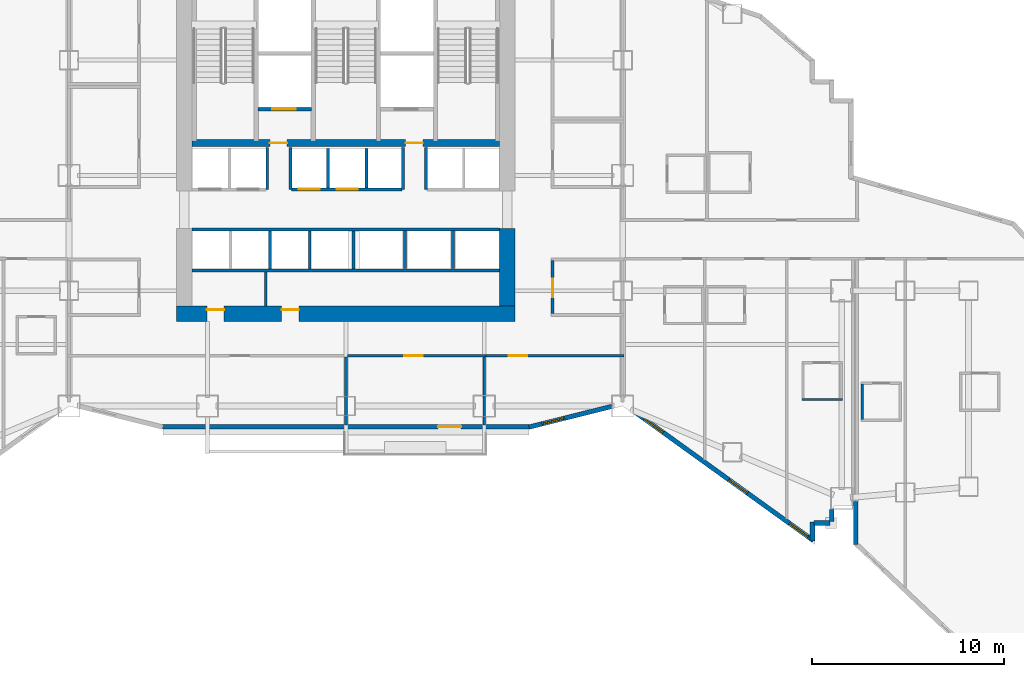
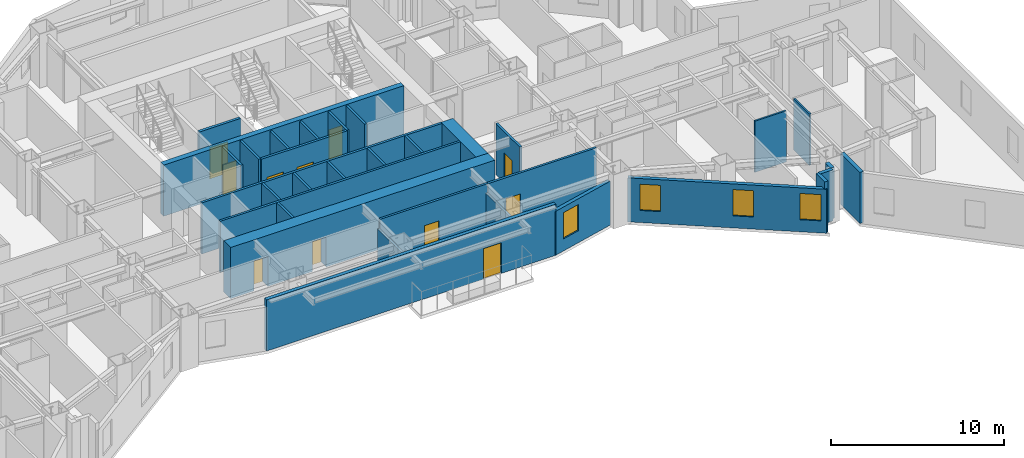
# One storey, part 8 of 17: 33 walls, 11 doors, 4 windows, 15 openings.
"""IFC4 building model written with IfcOpenShell, lengths in metres."""

from ifc_helpers import new_model, si_unit, direction, frame, frame_2d, origin, place, context, subcontext, project, spatial, rectangle, extrude, material, layer, layer_set, type_object, element, fill, save


model = new_model("IFC4")

# Units and contexts
model_context = context("Model", 3, precision=1e-05, world=origin(), true_north=direction((0.0, 1.0)))
body_context = subcontext(model_context, "Body", "Model", "MODEL_VIEW")
ifc_project = project(units=[si_unit("LENGTHUNIT", "METRE"), si_unit("AREAUNIT", "SQUARE_METRE"), si_unit("VOLUMEUNIT", "CUBIC_METRE"), si_unit("PLANEANGLEUNIT", "RADIAN"), si_unit("MASSUNIT", "GRAM", prefix="KILO")], contexts=[model_context])

# Site, building, storey
site_placement = place(None, origin())
site = spatial("IfcSite", under=ifc_project, at=site_placement, CompositionType="ELEMENT")
building_placement = place(site_placement, origin())
building = spatial("IfcBuilding", under=site, at=building_placement, Name="Haolan Belvedere Tower", CompositionType="ELEMENT")
storey_placement = place(building_placement, frame((0.0, 0.0, 59.0)))
storey = spatial("IfcBuildingStorey", under=building, at=storey_placement, Name="L14", CompositionType="ELEMENT", Elevation=59.0)

# Wall, openings, doors
ifc_material_1 = material(Name="Concrete C70/85", Category="concrete")
ifc_layer_1 = layer(ifc_material_1, 0.800048828125, Name="Concrete C70/85")
ifc_layer_set_1 = layer_set([ifc_layer_1], Name="Concrete C70/85")
wall_type_1 = type_object("IfcWallType", Name="WL-CORE-800", PredefinedType="SHEAR", material=ifc_layer_set_1)
wall_1_placement = place(storey_placement, frame((29.60009765625, 26.39990234375, 0.0), z_axis=(0.0, 0.0, 1.0), x_axis=(1.0, 0.0, 0.0)))
wall_1 = element("IfcWall", 1, at=wall_1_placement, inside=storey, type_object=wall_type_1, Name="L14 central core south shear wall", PredefinedType="SHEAR", context=body_context, shape_type="SweptSolid", body=[
    extrude(rectangle(XDim=17.599853515625, YDim=0.800048828125, at=frame_2d((8.7998046875, 0.0))), origin(), (0.0, 0.0, 1.0), 3.60009765625),
])
opening_1_placement = place(wall_1_placement, frame((2.469970703125, 0.0, 0.0), z_axis=(0.0, 0.0, 1.0), x_axis=(-1.0, 0.0, 0.0)))
opening_1 = element("IfcOpeningElement", 2, at=opening_1_placement, cuts=wall_1, Name="Opening FD-05", PredefinedType="OPENING", context=body_context, shape_type="SweptSolid", body=[
    extrude(rectangle(XDim=0.89990234375, YDim=2.10009765625, at=frame_2d((0.449951171875, 1.050048828125))), frame((0.0, 0.409912109375, 0.0), z_axis=(0.0, -1.0, 0.0), x_axis=(1.0, 0.0, 0.0)), (0.0, 0.0, 1.0), 0.820068359375),
])
opening_2_placement = place(wall_1_placement, frame((6.35986328125, 0.0, 0.0), z_axis=(0.0, 0.0, 1.0), x_axis=(-1.0, 0.0, 0.0)))
opening_2 = element("IfcOpeningElement", 3, at=opening_2_placement, cuts=wall_1, Name="Opening FD-05", PredefinedType="OPENING", context=body_context, shape_type="SweptSolid", body=[
    extrude(rectangle(XDim=0.89990234375, YDim=2.10009765625, at=frame_2d((0.449951171875, 1.050048828125))), frame((0.0, 0.409912109375, 0.0), z_axis=(0.0, -1.0, 0.0), x_axis=(1.0, 0.0, 0.0)), (0.0, 0.0, 1.0), 0.820068359375),
])
ifc_material_2 = material(Name="Galvanised fire-rated steel", Category="steel")
door_type_1 = type_object("IfcDoorType", Name="DR-FD60-900", OperationType="NOTDEFINED", PredefinedType="DOOR", material=ifc_material_2)
door_1_placement = place(opening_1_placement, origin())
door_1 = element("IfcDoor", 4, at=door_1_placement, inside=storey, type_object=door_type_1, Name="L14 door CD-L14-SCV-1", OperationType="SINGLE_SWING_LEFT", OverallHeight=2.10009765625, OverallWidth=0.89990234375, PredefinedType="DOOR", context=body_context, shape_type="SweptSolid", body=[
    extrude(rectangle(XDim=0.89990234375, YDim=2.10009765625, at=frame_2d((0.449951171875, 1.050048828125))), frame((0.0, -0.19482421875, 0.0), z_axis=(0.0, -1.0, 0.0), x_axis=(1.0, 0.0, 0.0)), (0.0, 0.0, 1.0), 0.050048828125),
])
fill(opening_1, door_1)
door_2_placement = place(opening_2_placement, origin())
door_2 = element("IfcDoor", 5, at=door_2_placement, inside=storey, type_object=door_type_1, Name="L14 door CD-L14-SCV-2", OperationType="SINGLE_SWING_RIGHT", OverallHeight=2.10009765625, OverallWidth=0.89990234375, PredefinedType="DOOR", context=body_context, shape_type="SweptSolid", body=[
    extrude(rectangle(XDim=0.89990234375, YDim=2.10009765625, at=frame_2d((0.449951171875, 1.050048828125))), frame((0.0, -0.19482421875, 0.0), z_axis=(0.0, -1.0, 0.0), x_axis=(1.0, 0.0, 0.0)), (0.0, 0.0, 1.0), 0.050048828125),
])
fill(opening_2, door_2)

# Wall
wall_2_placement = place(storey_placement, frame((46.800048828125, 26.800048828125, 0.0), z_axis=(0.0, 0.0, 1.0), x_axis=(0.0, 1.0, 0.0)))
element("IfcWall", 6, at=wall_2_placement, inside=storey, type_object=wall_type_1, Name="L14 central core shear wall ES", PredefinedType="SHEAR", context=body_context, shape_type="SweptSolid", body=[
    extrude(rectangle(XDim=4.050048828125, YDim=0.800048828125, at=frame_2d((2.02490234375, 0.0))), origin(), (0.0, 0.0, 1.0), 3.60009765625),
])

# Wall, opening, door
ifc_material_3 = material(Name="Precast concrete C40/50", Category="concrete")
ifc_layer_2 = layer(ifc_material_3, 0.239990234375, Name="Precast concrete C40/50")
ifc_layer_set_2 = layer_set([ifc_layer_2], Name="Precast concrete C40/50")
wall_type_2 = type_object("IfcWallType", Name="WL-EXT-240", PredefinedType="SOLIDWALL", material=ifc_layer_set_2)
wall_3_placement = place(storey_placement, frame((28.759765625, 20.52001953125, 0.0), z_axis=(0.0, 0.0, 1.0), x_axis=(1.0, 0.0, 0.0)))
wall_3 = element("IfcWall", 7, at=wall_3_placement, inside=storey, type_object=wall_type_2, Name="L14 pale-metal exterior spandrel wall 13.1", PredefinedType="SOLIDWALL", context=body_context, shape_type="SweptSolid", body=[
    extrude(rectangle(XDim=19.280517578125, YDim=0.239990234375, at=frame_2d((9.64013671875, 0.0))), origin(), (0.0, 0.0, 1.0), 3.60009765625),
])
opening_3_placement = place(wall_3_placement, frame((15.64013671875, 0.0, 0.0), z_axis=(0.0, 0.0, 1.0), x_axis=(-1.0, 0.0, 0.0)))
opening_3 = element("IfcOpeningElement", 8, at=opening_3_placement, cuts=wall_3, Name="Opening BD-01", PredefinedType="OPENING", context=body_context, shape_type="SweptSolid", body=[
    extrude(rectangle(XDim=1.199951171875, YDim=2.14990234375, at=frame_2d((0.60009765625, 1.074951171875))), frame((0.0, 0.1298828125, 0.0), z_axis=(0.0, -1.0, 0.0), x_axis=(1.0, 0.0, 0.0)), (0.0, 0.0, 1.0), 0.260009765625),
])
ifc_material_4 = material(Name="Thermally broken pale-metal aluminium and Low-E glass", Category="aluminium")
door_type_2 = type_object("IfcDoorType", Name="DR-BAL-1200", OperationType="NOTDEFINED", PredefinedType="DOOR", material=ifc_material_4)
door_3_placement = place(opening_3_placement, origin())
door_3 = element("IfcDoor", 9, at=door_3_placement, inside=storey, type_object=door_type_2, Name="L14 tree-balcony access door 1", OperationType="SINGLE_SWING_RIGHT", OverallHeight=2.14990234375, OverallWidth=1.199951171875, PredefinedType="DOOR", context=body_context, shape_type="SweptSolid", body=[
    extrude(rectangle(XDim=1.199951171875, YDim=2.14990234375, at=frame_2d((0.60009765625, 1.074951171875))), frame((0.0, 0.02490234375, 0.0), z_axis=(0.0, -1.0, 0.0), x_axis=(1.0, 0.0, 0.0)), (0.0, 0.0, 1.0), 0.050048828125),
])
fill(opening_3, door_3)

# Wall, opening, window
wall_4_placement = place(storey_placement, frame((47.931884765625, 20.506591796875, 0.0), z_axis=(0.0, 0.0, 1.0), x_axis=(0.970145739396, 0.242522667667, 0.0)))
wall_4 = element("IfcWall", 10, at=wall_4_placement, inside=storey, type_object=wall_type_2, Name="L14 pale-metal exterior spandrel wall 14.1", PredefinedType="SOLIDWALL", context=body_context, shape_type="SweptSolid", body=[
    extrude(rectangle(XDim=4.433349609375, YDim=0.239990234375, at=frame_2d((2.216796875, 0.0))), origin(), (0.0, 0.0, 1.0), 3.096923828125),
])
opening_4_placement = place(wall_4_placement, frame((0.699951171875, 0.0, 0.85009765625)))
opening_4 = element("IfcOpeningElement", 11, at=opening_4_placement, cuts=wall_4, Name="Opening W-01", PredefinedType="OPENING", context=body_context, shape_type="SweptSolid", body=[
    extrude(rectangle(XDim=1.199951171875, YDim=1.85009765625, at=frame_2d((0.60009765625, 0.925048828125))), frame((0.0, 0.1298828125, 0.0), z_axis=(0.0, -1.0, 0.0), x_axis=(1.0, 0.0, 0.0)), (0.0, 0.0, 1.0), 0.260009765625),
])
ifc_material_5 = material(Name="Anodised aluminium 6063-T6 and Low-E glass", Category="aluminium")
window_type = type_object("IfcWindowType", Name="WN-DECO-Z1", PartitioningType="SINGLE_PANEL", PredefinedType="WINDOW", material=ifc_material_5)
window_1_placement = place(opening_4_placement, origin())
window_1 = element("IfcWindow", 12, at=window_1_placement, inside=storey, type_object=window_type, Name="L14 Art Deco chevron window 1", OverallHeight=1.85009765625, OverallWidth=1.199951171875, PartitioningType="SINGLE_PANEL", PredefinedType="WINDOW", context=body_context, shape_type="SweptSolid", body=[
    extrude(rectangle(XDim=1.199951171875, YDim=1.85009765625, at=frame_2d((0.60009765625, 0.925048828125))), frame((0.0, 0.030029296875, 0.0), z_axis=(0.0, -1.0, 0.0), x_axis=(1.0, 0.0, 0.0)), (0.0, 0.0, 1.0), 0.06005859375),
])
fill(opening_4, window_1)

# Wall, openings, windows
wall_5_placement = place(storey_placement, frame((53.366943359375, 21.339599609375, 0.0), z_axis=(0.0, 0.0, 1.0), x_axis=(0.811543176492, -0.58429245476, 0.0)))
wall_5 = element("IfcWall", 13, at=wall_5_placement, inside=storey, type_object=wall_type_2, Name="L14 pale-metal exterior spandrel wall 15.1", PredefinedType="SOLIDWALL", context=body_context, shape_type="SweptSolid", body=[
    extrude(rectangle(XDim=11.53076171875, YDim=0.239990234375, at=frame_2d((5.765380859375, 0.0))), origin(), (0.0, 0.0, 1.0), 3.096923828125),
])
opening_5_placement = place(wall_5_placement, frame((0.699951171875, 0.0, 0.85009765625)))
opening_5 = element("IfcOpeningElement", 14, at=opening_5_placement, cuts=wall_5, Name="Opening W-01", PredefinedType="OPENING", context=body_context, shape_type="SweptSolid", body=[
    extrude(rectangle(XDim=1.199951171875, YDim=1.85009765625, at=frame_2d((0.60009765625, 0.925048828125))), frame((0.0, 0.1298828125, 0.0), z_axis=(0.0, -1.0, 0.0), x_axis=(1.0, 0.0, 0.0)), (0.0, 0.0, 1.0), 0.260009765625),
])
opening_6_placement = place(wall_5_placement, frame((6.10009765625, 0.0, 0.85009765625)))
opening_6 = element("IfcOpeningElement", 15, at=opening_6_placement, cuts=wall_5, Name="Opening W-01", PredefinedType="OPENING", context=body_context, shape_type="SweptSolid", body=[
    extrude(rectangle(XDim=1.199951171875, YDim=1.85009765625, at=frame_2d((0.60009765625, 0.925048828125))), frame((0.0, 0.1298828125, 0.0), z_axis=(0.0, -1.0, 0.0), x_axis=(1.0, 0.0, 0.0)), (0.0, 0.0, 1.0), 0.260009765625),
])
opening_7_placement = place(wall_5_placement, frame((9.989990234375, 0.0, 0.85009765625)))
opening_7 = element("IfcOpeningElement", 16, at=opening_7_placement, cuts=wall_5, Name="Opening W-01", PredefinedType="OPENING", context=body_context, shape_type="SweptSolid", body=[
    extrude(rectangle(XDim=1.199951171875, YDim=1.85009765625, at=frame_2d((0.60009765625, 0.925048828125))), frame((0.0, 0.1298828125, 0.0), z_axis=(0.0, -1.0, 0.0), x_axis=(1.0, 0.0, 0.0)), (0.0, 0.0, 1.0), 0.260009765625),
])
window_2_placement = place(opening_5_placement, origin())
window_2 = element("IfcWindow", 17, at=window_2_placement, inside=storey, type_object=window_type, Name="L14 Art Deco chevron window 1", OverallHeight=1.85009765625, OverallWidth=1.199951171875, PartitioningType="SINGLE_PANEL", PredefinedType="WINDOW", context=body_context, shape_type="SweptSolid", body=[
    extrude(rectangle(XDim=1.199951171875, YDim=1.85009765625, at=frame_2d((0.60009765625, 0.925048828125))), frame((0.0, 0.030029296875, 0.0), z_axis=(0.0, -1.0, 0.0), x_axis=(1.0, 0.0, 0.0)), (0.0, 0.0, 1.0), 0.06005859375),
])
fill(opening_5, window_2)
window_3_placement = place(opening_6_placement, origin())
window_3 = element("IfcWindow", 18, at=window_3_placement, inside=storey, type_object=window_type, Name="L14 Art Deco chevron window 2", OverallHeight=1.85009765625, OverallWidth=1.199951171875, PartitioningType="SINGLE_PANEL", PredefinedType="WINDOW", context=body_context, shape_type="SweptSolid", body=[
    extrude(rectangle(XDim=1.199951171875, YDim=1.85009765625, at=frame_2d((0.60009765625, 0.925048828125))), frame((0.0, 0.030029296875, 0.0), z_axis=(0.0, -1.0, 0.0), x_axis=(1.0, 0.0, 0.0)), (0.0, 0.0, 1.0), 0.06005859375),
])
fill(opening_6, window_3)
window_4_placement = place(opening_7_placement, origin())
window_4 = element("IfcWindow", 19, at=window_4_placement, inside=storey, type_object=window_type, Name="L14 Art Deco guestroom window 2", OverallHeight=1.85009765625, OverallWidth=1.199951171875, PartitioningType="SINGLE_PANEL", PredefinedType="WINDOW", context=body_context, shape_type="SweptSolid", body=[
    extrude(rectangle(XDim=1.199951171875, YDim=1.85009765625, at=frame_2d((0.60009765625, 0.925048828125))), frame((0.0, 0.030029296875, 0.0), z_axis=(0.0, -1.0, 0.0), x_axis=(1.0, 0.0, 0.0)), (0.0, 0.0, 1.0), 0.06005859375),
])
fill(opening_7, window_4)

# Walls
wall_6_placement = place(storey_placement, frame((62.679931640625, 14.579345703125, 0.0), z_axis=(0.0, 0.0, 1.0), x_axis=(0.0, 1.0, 0.0)))
element("IfcWall", 20, at=wall_6_placement, inside=storey, type_object=wall_type_2, Name="L14 pale-metal exterior spandrel wall 16.1", PredefinedType="SOLIDWALL", context=body_context, shape_type="SweptSolid", body=[
    extrude(rectangle(XDim=0.99560546875, YDim=0.239990234375, at=frame_2d((0.497802734375, 0.0))), origin(), (0.0, 0.0, 1.0), 3.60009765625),
])
wall_7_placement = place(storey_placement, frame((62.7451171875, 15.52001953125, 0.0), z_axis=(0.0, 0.0, 1.0), x_axis=(1.0, 0.0, 0.0)))
element("IfcWall", 21, at=wall_7_placement, inside=storey, type_object=wall_type_2, Name="L14 pale-metal exterior spandrel wall 17.1", PredefinedType="SOLIDWALL", context=body_context, shape_type="SweptSolid", body=[
    extrude(rectangle(XDim=0.849853515625, YDim=0.239990234375, at=frame_2d((0.4248046875, 0.0))), origin(), (0.0, 0.0, 1.0), 3.60009765625),
])
wall_8_placement = place(storey_placement, frame((63.679931640625, 15.60498046875, 0.0), z_axis=(0.0, 0.0, 1.0), x_axis=(0.0, 1.0, 0.0)))
element("IfcWall", 22, at=wall_8_placement, inside=storey, type_object=wall_type_2, Name="L14 pale-metal exterior spandrel wall 18.1", PredefinedType="SOLIDWALL", context=body_context, shape_type="SweptSolid", body=[
    extrude(rectangle(XDim=0.6279296875, YDim=0.239990234375, at=frame_2d((0.31396484375, 0.0))), origin(), (0.0, 0.0, 1.0), 3.60009765625),
])
wall_9_placement = place(storey_placement, frame((64.919921875, 16.639892578125, 0.0), z_axis=(0.0, 0.0, 1.0), x_axis=(0.0, -1.0, 0.0)))
element("IfcWall", 23, at=wall_9_placement, inside=storey, type_object=wall_type_2, Name="L14 pale-metal exterior spandrel wall 20.1", PredefinedType="SOLIDWALL", context=body_context, shape_type="SweptSolid", body=[
    extrude(rectangle(XDim=2.2431640625, YDim=0.239990234375, at=frame_2d((1.12158203125, 0.0))), origin(), (0.0, 0.0, 1.0), 3.60009765625),
])
ifc_material_6 = material(Name="Double gypsum acoustic stud partition", Category="masonry")
ifc_layer_3 = layer(ifc_material_6, 0.14990234375, Name="Double gypsum acoustic stud partition")
ifc_layer_set_3 = layer_set([ifc_layer_3], Name="Double gypsum acoustic stud partition")
wall_type_3 = type_object("IfcWallType", Name="WL-PART-150", PredefinedType="PARTITIONING", material=ifc_layer_set_3)
wall_10_placement = place(storey_placement, frame((30.39990234375, 28.659912109375, 0.0), z_axis=(0.0, 0.0, 1.0), x_axis=(1.0, 0.0, 0.0)))
element("IfcWall", 24, at=wall_10_placement, inside=storey, type_object=wall_type_3, Name="L14 interior partition IW-L14-SSTRIP-N", PredefinedType="PARTITIONING", context=body_context, shape_type="SweptSolid", body=[
    extrude(rectangle(XDim=16.0, YDim=0.14990234375, at=frame_2d((8.0, 0.0))), origin(), (0.0, 0.0, 1.0), 3.60009765625),
])
wall_11_placement = place(storey_placement, frame((34.22998046875, 26.81005859375, 0.0), z_axis=(0.0, 0.0, 1.0), x_axis=(0.0, 1.0, 0.0)))
element("IfcWall", 25, at=wall_11_placement, inside=storey, type_object=wall_type_3, Name="L14 interior partition IW-L14-SCV-DIV-1", PredefinedType="PARTITIONING", context=body_context, shape_type="SweptSolid", body=[
    extrude(rectangle(XDim=1.77001953125, YDim=0.14990234375, at=frame_2d((0.885009765625, 0.0))), origin(), (0.0, 0.0, 1.0), 3.60009765625),
])

# Wall, opening, door
wall_12_placement = place(storey_placement, frame((49.159912109375, 26.409912109375, 0.0), z_axis=(0.0, 0.0, 1.0), x_axis=(0.0, 1.0, 0.0)))
wall_12 = element("IfcWall", 26, at=wall_12_placement, inside=storey, type_object=wall_type_3, Name="L14 interior partition IW-L14-PKTE-W", PredefinedType="PARTITIONING", context=body_context, shape_type="SweptSolid", body=[
    extrude(rectangle(XDim=2.760009765625, YDim=0.14990234375, at=frame_2d((1.3798828125, 0.0))), origin(), (0.0, 0.0, 1.0), 3.60009765625),
])
opening_8_placement = place(wall_12_placement, frame((0.860107421875, 0.0, 0.0)))
opening_8 = element("IfcOpeningElement", 27, at=opening_8_placement, cuts=wall_12, Name="Opening ID-03", PredefinedType="OPENING", context=body_context, shape_type="SweptSolid", body=[
    extrude(rectangle(XDim=0.949951171875, YDim=2.1201171875, at=frame_2d((0.47509765625, 1.06005859375))), frame((0.0, 0.0849609375, 0.0), z_axis=(0.0, -1.0, 0.0), x_axis=(1.0, 0.0, 0.0)), (0.0, 0.0, 1.0), 0.169921875),
])
ifc_material_7 = material(Name="Painted solid-core timber", Category="wood")
door_type_3 = type_object("IfcDoorType", Name="DR-INT-950", OperationType="NOTDEFINED", PredefinedType="DOOR", material=ifc_material_7)
door_4_placement = place(opening_8_placement, origin())
door_4 = element("IfcDoor", 28, at=door_4_placement, inside=storey, type_object=door_type_3, Name="L14 door ID-L14-PKTE", OperationType="SINGLE_SWING_RIGHT", OverallHeight=2.1201171875, OverallWidth=0.949951171875, PredefinedType="DOOR", context=body_context, shape_type="SweptSolid", body=[
    extrude(rectangle(XDim=0.949951171875, YDim=2.1201171875, at=frame_2d((0.47509765625, 1.06005859375))), frame((0.0, 0.02490234375, 0.0), z_axis=(0.0, -1.0, 0.0), x_axis=(1.0, 0.0, 0.0)), (0.0, 0.0, 1.0), 0.050048828125),
])
fill(opening_8, door_4)

# Wall
wall_13_placement = place(storey_placement, frame((38.39990234375, 20.625, 0.0), z_axis=(0.0, 0.0, 1.0), x_axis=(0.0, 1.0, 0.0)))
element("IfcWall", 29, at=wall_13_placement, inside=storey, type_object=wall_type_3, Name="L14 interior partition IW-L14-KS1-E", PredefinedType="PARTITIONING", context=body_context, shape_type="SweptSolid", body=[
    extrude(rectangle(XDim=3.534912109375, YDim=0.14990234375, at=frame_2d((1.767578125, 0.0))), origin(), (0.0, 0.0, 1.0), 2.985107421875),
])

# Wall, opening, door
wall_14_placement = place(storey_placement, frame((38.48193359375, 24.219970703125, 0.0), z_axis=(0.0, 0.0, 1.0), x_axis=(1.0, 0.0, 0.0)))
wall_14 = element("IfcWall", 30, at=wall_14_placement, inside=storey, type_object=wall_type_3, Name="L14 interior partition IW-L14-KS2-N", PredefinedType="PARTITIONING", context=body_context, shape_type="SweptSolid", body=[
    extrude(rectangle(XDim=7.197998046875, YDim=0.14990234375, at=frame_2d((3.59912109375, 0.0))), origin(), (0.0, 0.0, 1.0), 3.60009765625),
])
opening_9_placement = place(wall_14_placement, frame((3.912841796875, 0.0, 0.0), z_axis=(0.0, 0.0, 1.0), x_axis=(-1.0, 0.0, 0.0)))
opening_9 = element("IfcOpeningElement", 31, at=opening_9_placement, cuts=wall_14, Name="Opening ID-03", PredefinedType="OPENING", context=body_context, shape_type="SweptSolid", body=[
    extrude(rectangle(XDim=0.949951171875, YDim=2.1201171875, at=frame_2d((0.47509765625, 1.06005859375))), frame((0.0, 0.0849609375, 0.0), z_axis=(0.0, -1.0, 0.0), x_axis=(1.0, 0.0, 0.0)), (0.0, 0.0, 1.0), 0.169921875),
])
door_5_placement = place(opening_9_placement, origin())
door_5 = element("IfcDoor", 32, at=door_5_placement, inside=storey, type_object=door_type_3, Name="L14 door ID-L14-KS2", OperationType="SINGLE_SWING_LEFT", OverallHeight=2.1201171875, OverallWidth=0.949951171875, PredefinedType="DOOR", context=body_context, shape_type="SweptSolid", body=[
    extrude(rectangle(XDim=0.949951171875, YDim=2.1201171875, at=frame_2d((0.47509765625, 1.06005859375))), frame((0.0, 0.02490234375, 0.0), z_axis=(0.0, -1.0, 0.0), x_axis=(1.0, 0.0, 0.0)), (0.0, 0.0, 1.0), 0.050048828125),
])
fill(opening_9, door_5)

# Wall
wall_15_placement = place(storey_placement, frame((45.60009765625, 20.625, 0.0), z_axis=(0.0, 0.0, 1.0), x_axis=(0.0, 1.0, 0.0)))
element("IfcWall", 33, at=wall_15_placement, inside=storey, type_object=wall_type_3, Name="L14 interior partition IW-L14-KS2-E", PredefinedType="PARTITIONING", context=body_context, shape_type="SweptSolid", body=[
    extrude(rectangle(XDim=3.534912109375, YDim=0.14990234375, at=frame_2d((1.767578125, 0.0))), origin(), (0.0, 0.0, 1.0), 2.985107421875),
])

# Wall, opening, door
wall_16_placement = place(storey_placement, frame((45.681884765625, 24.219970703125, 0.0), z_axis=(0.0, 0.0, 1.0), x_axis=(1.0, 0.0, 0.0)))
wall_16 = element("IfcWall", 34, at=wall_16_placement, inside=storey, type_object=wall_type_3, Name="L14 interior partition IW-L14-KS3-N", PredefinedType="PARTITIONING", context=body_context, shape_type="SweptSolid", body=[
    extrude(rectangle(XDim=7.197998046875, YDim=0.14990234375, at=frame_2d((3.59912109375, 0.0))), origin(), (0.0, 0.0, 1.0), 3.60009765625),
])
opening_10_placement = place(wall_16_placement, frame((2.14306640625, 0.0, 0.0), z_axis=(0.0, 0.0, 1.0), x_axis=(-1.0, 0.0, 0.0)))
opening_10 = element("IfcOpeningElement", 35, at=opening_10_placement, cuts=wall_16, Name="Opening ID-03", PredefinedType="OPENING", context=body_context, shape_type="SweptSolid", body=[
    extrude(rectangle(XDim=0.949951171875, YDim=2.1201171875, at=frame_2d((0.47509765625, 1.06005859375))), frame((0.0, 0.0849609375, 0.0), z_axis=(0.0, -1.0, 0.0), x_axis=(1.0, 0.0, 0.0)), (0.0, 0.0, 1.0), 0.169921875),
])
door_6_placement = place(opening_10_placement, origin())
door_6 = element("IfcDoor", 36, at=door_6_placement, inside=storey, type_object=door_type_3, Name="L14 door ID-L14-KS3", OperationType="SINGLE_SWING_RIGHT", OverallHeight=2.1201171875, OverallWidth=0.949951171875, PredefinedType="DOOR", context=body_context, shape_type="SweptSolid", body=[
    extrude(rectangle(XDim=0.949951171875, YDim=2.1201171875, at=frame_2d((0.47509765625, 1.06005859375))), frame((0.0, 0.02490234375, 0.0), z_axis=(0.0, -1.0, 0.0), x_axis=(1.0, 0.0, 0.0)), (0.0, 0.0, 1.0), 0.050048828125),
])
fill(opening_10, door_6)

# Walls
ifc_material_8 = material(Name="Gypsum fire shaftwall assembly", Category="masonry")
ifc_layer_4 = layer(ifc_material_8, 0.1650390625, Name="Gypsum fire shaftwall assembly")
ifc_layer_set_4 = layer_set([ifc_layer_4], Name="Gypsum fire shaftwall assembly")
wall_type_4 = type_object("IfcWallType", Name="WL-SHAFT-160", PredefinedType="SOLIDWALL", material=ifc_layer_set_4)
for number, where, z_axis, x_axis, name in (
    (37, (34.31005859375, 32.8798828125, 0.0), (0.0, 0.0, 1.0), (0.0, 1.0, 0.0), "L14 interior partition IW-L14-SVP-W-SV1"),
    (38, (35.510009765625, 32.8798828125, 0.0), (0.0, 0.0, 1.0), (0.0, 1.0, 0.0), "L14 interior partition IW-L14-SVP-E-SV1"),
    (39, (41.3701171875, 32.8798828125, 0.0), (0.0, 0.0, 1.0), (0.0, 1.0, 0.0), "L14 interior partition IW-L14-SVP-W-SV2"),
    (40, (42.570068359375, 32.8798828125, 0.0), (0.0, 0.0, 1.0), (0.0, 1.0, 0.0), "L14 interior partition IW-L14-SVP-E-SV2"),
):
    element("IfcWall", number, at=place(storey_placement, frame(where, z_axis=z_axis, x_axis=x_axis)), inside=storey, type_object=wall_type_4, Name=name, PredefinedType="SOLIDWALL", context=body_context, shape_type="SweptSolid", body=[
        extrude(rectangle(XDim=2.170166015625, YDim=0.14990234375, at=frame_2d((1.0849609375, 0.0))), origin(), (0.0, 0.0, 1.0), 3.60009765625),
    ])

# Wall, openings, doors
wall_17_placement = place(storey_placement, frame((35.570068359375, 32.8798828125, 0.0), z_axis=(0.0, 0.0, 1.0), x_axis=(1.0, 0.0, 0.0)))
wall_17 = element("IfcWall", 41, at=wall_17_placement, inside=storey, type_object=wall_type_4, Name="L14 interior partition IW-L14-ROW-PN2", PredefinedType="SOLIDWALL", context=body_context, shape_type="SweptSolid", body=[
    extrude(rectangle(XDim=5.739990234375, YDim=0.159912109375, at=frame_2d((2.8701171875, 0.0))), origin(), (0.0, 0.0, 1.0), 3.60009765625),
])
opening_11_placement = place(wall_17_placement, frame((1.47021484375, 0.0, 0.0), z_axis=(0.0, 0.0, 1.0), x_axis=(-1.0, 0.0, 0.0)))
opening_11 = element("IfcOpeningElement", 42, at=opening_11_placement, cuts=wall_17, Name="Opening LD-01", PredefinedType="OPENING", context=body_context, shape_type="SweptSolid", body=[
    extrude(rectangle(XDim=1.10009765625, YDim=2.199951171875, at=frame_2d((0.550048828125, 1.10009765625))), frame((0.0, 0.08984375, 0.0), z_axis=(0.0, -1.0, 0.0), x_axis=(1.0, 0.0, 0.0)), (0.0, 0.0, 1.0), 0.179931640625),
])
opening_12_placement = place(wall_17_placement, frame((3.460205078125, 0.0, 0.0), z_axis=(0.0, 0.0, 1.0), x_axis=(-1.0, 0.0, 0.0)))
opening_12 = element("IfcOpeningElement", 43, at=opening_12_placement, cuts=wall_17, Name="Opening LD-01", PredefinedType="OPENING", context=body_context, shape_type="SweptSolid", body=[
    extrude(rectangle(XDim=1.10009765625, YDim=2.199951171875, at=frame_2d((0.550048828125, 1.10009765625))), frame((0.0, 0.08984375, 0.0), z_axis=(0.0, -1.0, 0.0), x_axis=(1.0, 0.0, 0.0)), (0.0, 0.0, 1.0), 0.179931640625),
])
ifc_material_9 = material(Name="Brushed champagne stainless steel 316L", Category="steel")
door_type_4 = type_object("IfcDoorType", Name="DR-LIFT-1100", OperationType="SLIDING_TO_LEFT", PredefinedType="DOOR", material=ifc_material_9)
door_7_placement = place(opening_11_placement, origin())
door_7 = element("IfcDoor", 44, at=door_7_placement, inside=storey, type_object=door_type_4, Name="L14 door ID-L14-LD-PL3", OperationType="SLIDING_TO_LEFT", OverallHeight=2.199951171875, OverallWidth=1.10009765625, PredefinedType="DOOR", context=body_context, shape_type="SweptSolid", body=[
    extrude(rectangle(XDim=1.10009765625, YDim=2.199951171875, at=frame_2d((0.550048828125, 1.10009765625))), frame((0.0, 0.02490234375, 0.0), z_axis=(0.0, -1.0, 0.0), x_axis=(1.0, 0.0, 0.0)), (0.0, 0.0, 1.0), 0.050048828125),
])
fill(opening_11, door_7)
door_8_placement = place(opening_12_placement, origin())
door_8 = element("IfcDoor", 45, at=door_8_placement, inside=storey, type_object=door_type_4, Name="L14 door ID-L14-LD-PL4", OperationType="SLIDING_TO_LEFT", OverallHeight=2.199951171875, OverallWidth=1.10009765625, PredefinedType="DOOR", context=body_context, shape_type="SweptSolid", body=[
    extrude(rectangle(XDim=1.10009765625, YDim=2.199951171875, at=frame_2d((0.550048828125, 1.10009765625))), frame((0.0, 0.02490234375, 0.0), z_axis=(0.0, -1.0, 0.0), x_axis=(1.0, 0.0, 0.0)), (0.0, 0.0, 1.0), 0.050048828125),
])
fill(opening_12, door_8)

# Walls
for number, where, z_axis, x_axis, name in (
    (46, (37.47998046875, 32.949951171875, 0.0), (0.0, 0.0, 1.0), (0.0, 1.0, 0.0), "L14 interior partition IW-L14-DIV-PL3"),
    (47, (39.469970703125, 32.949951171875, 0.0), (0.0, 0.0, 1.0), (0.0, 1.0, 0.0), "L14 interior partition IW-L14-DIV-PL4"),
):
    element("IfcWall", number, at=place(storey_placement, frame(where, z_axis=z_axis, x_axis=x_axis)), inside=storey, type_object=wall_type_4, Name=name, PredefinedType="SOLIDWALL", context=body_context, shape_type="SweptSolid", body=[
        extrude(rectangle(XDim=2.050048828125, YDim=0.14990234375, at=frame_2d((1.02490234375, 0.0))), origin(), (0.0, 0.0, 1.0), 3.60009765625),
    ])
wall_18_placement = place(storey_placement, frame((30.39990234375, 30.800048828125, 0.0), z_axis=(0.0, 0.0, 1.0), x_axis=(1.0, 0.0, 0.0)))
element("IfcWall", 48, at=wall_18_placement, inside=storey, type_object=wall_type_4, Name="L14 interior partition IW-L14-ROW-PS", PredefinedType="SOLIDWALL", context=body_context, shape_type="SweptSolid", body=[
    extrude(rectangle(XDim=16.0, YDim=0.159912109375, at=frame_2d((8.0, 0.0))), origin(), (0.0, 0.0, 1.0), 3.60009765625),
])
for number, where, z_axis, x_axis, name in (
    (49, (34.4599609375, 28.735107421875, 0.0), (0.0, 0.0, 1.0), (0.0, 1.0, 0.0), "L14 interior partition IW-L14-DIV-PM2"),
    (50, (36.52001953125, 28.735107421875, 0.0), (0.0, 0.0, 1.0), (0.0, 1.0, 0.0), "L14 interior partition IW-L14-DIV-PM3"),
    (51, (38.800048828125, 28.735107421875, 0.0), (0.0, 0.0, 1.0), (0.0, 1.0, 0.0), "L14 interior partition IW-L14-DIV-PM4"),
):
    element("IfcWall", number, at=place(storey_placement, frame(where, z_axis=z_axis, x_axis=x_axis)), inside=storey, type_object=wall_type_4, Name=name, PredefinedType="SOLIDWALL", context=body_context, shape_type="SweptSolid", body=[
        extrude(rectangle(XDim=1.98486328125, YDim=0.14990234375, at=frame_2d((0.992431640625, 0.0))), origin(), (0.0, 0.0, 1.0), 3.60009765625),
    ])
for number, where, z_axis, x_axis, name in (
    (52, (41.469970703125, 28.75, 0.0), (0.0, 0.0, 1.0), (0.0, 1.0, 0.0), "L14 interior partition IW-L14-DIV-OB1"),
    (53, (43.97998046875, 28.75, 0.0), (0.0, 0.0, 1.0), (0.0, 1.0, 0.0), "L14 interior partition IW-L14-DIV-OB2"),
):
    element("IfcWall", number, at=place(storey_placement, frame(where, z_axis=z_axis, x_axis=x_axis)), inside=storey, type_object=wall_type_4, Name=name, PredefinedType="SOLIDWALL", context=body_context, shape_type="SweptSolid", body=[
        extrude(rectangle(XDim=1.985107421875, YDim=0.14990234375, at=frame_2d((0.99267578125, 0.0))), origin(), (0.0, 0.0, 1.0), 3.60009765625),
    ])

# Wall, opening, door
ifc_layer_5 = layer(ifc_material_3, 0.179931640625, Name="Precast concrete C40/50")
ifc_layer_set_5 = layer_set([ifc_layer_5], Name="Precast concrete C40/50")
wall_type_5 = type_object("IfcWallType", Name="WL-SHAFT-180", PredefinedType="SOLIDWALL", material=ifc_layer_set_5)
wall_19_placement = place(storey_placement, frame((33.8349609375, 37.050048828125, 0.0), z_axis=(0.0, 0.0, 1.0), x_axis=(1.0, 0.0, 0.0)))
wall_19 = element("IfcWall", 54, at=wall_19_placement, inside=storey, type_object=wall_type_5, Name="L14 interior partition IW-L14-SV1-S", PredefinedType="SOLIDWALL", context=body_context, shape_type="SweptSolid", body=[
    extrude(rectangle(XDim=2.77001953125, YDim=0.179931640625, at=frame_2d((1.385009765625, 0.0))), origin(), (0.0, 0.0, 1.0), 3.60009765625),
])
opening_13_placement = place(wall_19_placement, frame((1.945068359375, 0.0, 0.0), z_axis=(0.0, 0.0, 1.0), x_axis=(-1.0, 0.0, 0.0)))
opening_13 = element("IfcOpeningElement", 55, at=opening_13_placement, cuts=wall_19, Name="Opening LD-02", PredefinedType="OPENING", context=body_context, shape_type="SweptSolid", body=[
    extrude(rectangle(XDim=1.199951171875, YDim=2.199951171875, at=frame_2d((0.60009765625, 1.10009765625))), frame((0.0, 0.099853515625, 0.0), z_axis=(0.0, -1.0, 0.0), x_axis=(1.0, 0.0, 0.0)), (0.0, 0.0, 1.0), 0.199951171875),
])
door_type_5 = type_object("IfcDoorType", Name="DR-LIFT-1200", OperationType="SLIDING_TO_RIGHT", PredefinedType="DOOR", material=ifc_material_9)
door_9_placement = place(opening_13_placement, origin())
door_9 = element("IfcDoor", 56, at=door_9_placement, inside=storey, type_object=door_type_5, Name="L14 door ID-L14-LD-SV1", OperationType="SLIDING_TO_RIGHT", OverallHeight=2.199951171875, OverallWidth=1.199951171875, PredefinedType="DOOR", context=body_context, shape_type="SweptSolid", body=[
    extrude(rectangle(XDim=1.199951171875, YDim=2.199951171875, at=frame_2d((0.60009765625, 1.10009765625))), frame((0.0, 0.02490234375, 0.0), z_axis=(0.0, -1.0, 0.0), x_axis=(1.0, 0.0, 0.0)), (0.0, 0.0, 1.0), 0.050048828125),
])
fill(opening_13, door_9)

# Wall, openings, doors
ifc_material_10 = material(Name="Concrete C60/75", Category="concrete")
ifc_layer_6 = layer(ifc_material_10, 0.360107421875, Name="Concrete C60/75")
ifc_layer_set_6 = layer_set([ifc_layer_6], Name="Concrete C60/75")
wall_type_6 = type_object("IfcWallType", Name="WL-WEB-350", PredefinedType="SHEAR", material=ifc_layer_set_6)
wall_20_placement = place(storey_placement, frame((30.39990234375, 35.2900390625, 0.0), z_axis=(0.0, 0.0, 1.0), x_axis=(1.0, 0.0, 0.0)))
wall_20 = element("IfcWall", 57, at=wall_20_placement, inside=storey, type_object=wall_type_6, Name="L14 central core internal shear web", PredefinedType="SHEAR", context=body_context, shape_type="SweptSolid", body=[
    extrude(rectangle(XDim=16.0, YDim=0.360107421875, at=frame_2d((8.0, 0.0))), origin(), (0.0, 0.0, 1.0), 3.60009765625),
])
opening_14_placement = place(wall_20_placement, frame((4.949951171875, 0.0, 0.0), z_axis=(0.0, 0.0, 1.0), x_axis=(-1.0, 0.0, 0.0)))
opening_14 = element("IfcOpeningElement", 58, at=opening_14_placement, cuts=wall_20, Name="Opening FD-05", PredefinedType="OPENING", context=body_context, shape_type="SweptSolid", body=[
    extrude(rectangle(XDim=0.89990234375, YDim=2.10009765625, at=frame_2d((0.449951171875, 1.050048828125))), frame((0.0, 0.18994140625, 0.0), z_axis=(0.0, -1.0, 0.0), x_axis=(1.0, 0.0, 0.0)), (0.0, 0.0, 1.0), 0.380126953125),
])
opening_15_placement = place(wall_20_placement, frame((12.010009765625, 0.0, 0.0), z_axis=(0.0, 0.0, 1.0), x_axis=(-1.0, 0.0, 0.0)))
opening_15 = element("IfcOpeningElement", 59, at=opening_15_placement, cuts=wall_20, Name="Opening FD-05", PredefinedType="OPENING", context=body_context, shape_type="SweptSolid", body=[
    extrude(rectangle(XDim=0.89990234375, YDim=2.10009765625, at=frame_2d((0.449951171875, 1.050048828125))), frame((0.0, 0.18994140625, 0.0), z_axis=(0.0, -1.0, 0.0), x_axis=(1.0, 0.0, 0.0)), (0.0, 0.0, 1.0), 0.380126953125),
])
door_10_placement = place(opening_14_placement, origin())
door_10 = element("IfcDoor", 60, at=door_10_placement, inside=storey, type_object=door_type_1, Name="L14 door CD-L14-SVL-SV1", OperationType="SINGLE_SWING_RIGHT", OverallHeight=2.10009765625, OverallWidth=0.89990234375, PredefinedType="DOOR", context=body_context, shape_type="SweptSolid", body=[
    extrude(rectangle(XDim=0.89990234375, YDim=2.10009765625, at=frame_2d((0.449951171875, 1.050048828125))), frame((0.0, 0.02490234375, 0.0), z_axis=(0.0, -1.0, 0.0), x_axis=(1.0, 0.0, 0.0)), (0.0, 0.0, 1.0), 0.050048828125),
])
fill(opening_14, door_10)
door_11_placement = place(opening_15_placement, origin())
door_11 = element("IfcDoor", 61, at=door_11_placement, inside=storey, type_object=door_type_1, Name="L14 door CD-L14-SVL-SV2", OperationType="SINGLE_SWING_RIGHT", OverallHeight=2.10009765625, OverallWidth=0.89990234375, PredefinedType="DOOR", context=body_context, shape_type="SweptSolid", body=[
    extrude(rectangle(XDim=0.89990234375, YDim=2.10009765625, at=frame_2d((0.449951171875, 1.050048828125))), frame((0.0, 0.02490234375, 0.0), z_axis=(0.0, -1.0, 0.0), x_axis=(1.0, 0.0, 0.0)), (0.0, 0.0, 1.0), 0.050048828125),
])
fill(opening_15, door_11)

# Walls
ifc_material_11 = material(Name="Moisture-resistant gypsum tile partition", Category="masonry")
ifc_layer_7 = layer(ifc_material_11, 0.1201171875, Name="Moisture-resistant gypsum tile partition")
ifc_layer_set_7 = layer_set([ifc_layer_7], Name="Moisture-resistant gypsum tile partition")
wall_type_7 = type_object("IfcWallType", Name="WL-WET-120", PredefinedType="PARTITIONING", material=ifc_layer_set_7)
wall_21_placement = place(storey_placement, frame((62.1279296875, 21.93994140625, 0.0), z_axis=(0.0, 0.0, 1.0), x_axis=(1.0, 0.0, 0.0)))
element("IfcWall", 62, at=wall_21_placement, inside=storey, type_object=wall_type_7, Name="L14 interior partition IW-L14-T4S3-BS", PredefinedType="PARTITIONING", context=body_context, shape_type="SweptSolid", body=[
    extrude(rectangle(XDim=2.10009765625, YDim=0.1201171875, at=frame_2d((1.050048828125, 0.0))), origin(), (0.0, 0.0, 1.0), 3.60009765625),
])
wall_22_placement = place(storey_placement, frame((65.26708984375, 20.9150390625, 0.0), z_axis=(0.0, 0.0, 1.0), x_axis=(0.0, 1.0, 0.0)))
element("IfcWall", 63, at=wall_22_placement, inside=storey, type_object=wall_type_7, Name="L14 interior partition IW-L14-T5S1-BW", PredefinedType="PARTITIONING", context=body_context, shape_type="SweptSolid", body=[
    extrude(rectangle(XDim=1.830078125, YDim=0.1201171875, at=frame_2d((0.9150390625, 0.0))), origin(), (0.0, 0.0, 1.0), 3.60009765625),
])

save(model, "model.ifc")
